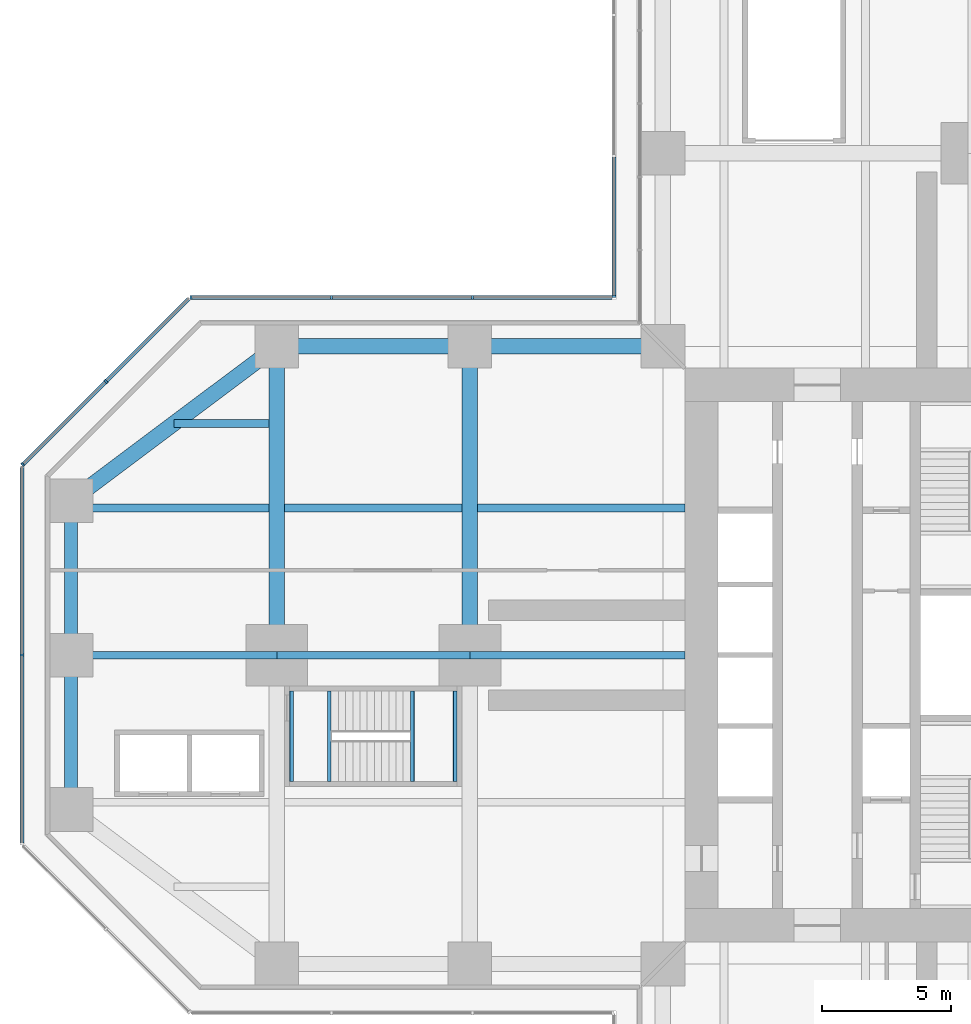
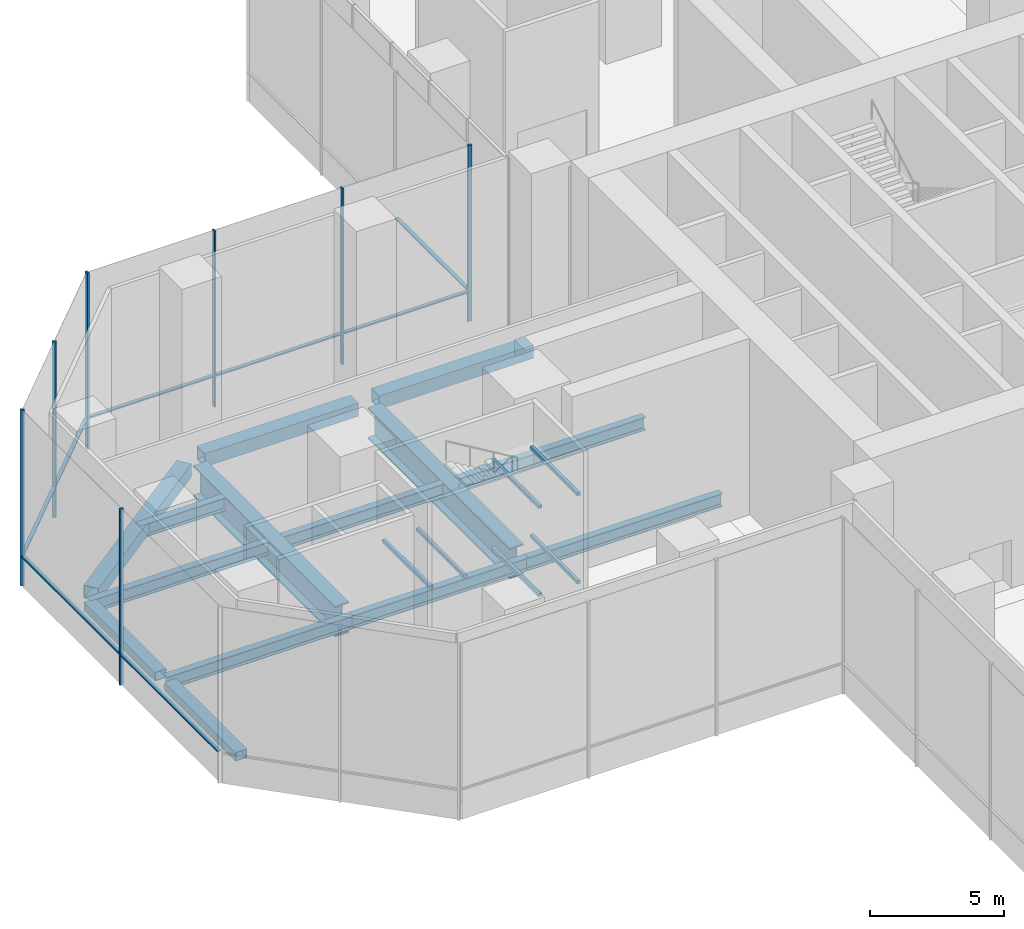
# One storey, part 7 of 25: 20 beams, 15 members, 4 elements without a shape of their own.
"""IFC4 building model written with IfcOpenShell, lengths in metres."""

from ifc_helpers import new_model, si_unit, direction, frame, origin, origin_2d, place, context, subcontext, project, spatial, rectangle, hollow_rectangle, i_section, extrude, material, material_profile, profile_set, type_object, element, aggregate, save


model = new_model("IFC4")

# Units and contexts
model_context = context("Model", 3, precision=1e-05, world=origin(), true_north=direction((0.0, 1.0)))
body_context = subcontext(model_context, "Body", "Model", "MODEL_VIEW")
ifc_project = project(units=[si_unit("LENGTHUNIT", "METRE"), si_unit("AREAUNIT", "SQUARE_METRE"), si_unit("VOLUMEUNIT", "CUBIC_METRE"), si_unit("PLANEANGLEUNIT", "RADIAN"), si_unit("MASSUNIT", "GRAM", prefix="KILO")], contexts=[model_context])

# Site, building, storey
site_placement = place(None, origin())
site = spatial("IfcSite", under=ifc_project, at=site_placement, CompositionType="ELEMENT")
building_placement = place(site_placement, origin())
building = spatial("IfcBuilding", under=site, at=building_placement, Name="Mizan Broadcast Tower", CompositionType="ELEMENT")
storey_placement = place(building_placement, frame((0.0, 0.0, 7.0)))
storey = spatial("IfcBuildingStorey", under=building, at=storey_placement, Name="L01", CompositionType="ELEMENT", Elevation=7.0)

# Beams
ifc_material_1 = material(Name="Steel S355", Category="steel")
ifc_material_profile_1 = material_profile(ifc_material_1, hollow_rectangle(XDim=0.5, YDim=0.39990234375, WallThickness=0.02490234375, at=origin_2d()), Name="BOX 400x500x25")
ifc_profile_set_1 = profile_set([ifc_material_profile_1], Name="Steel S355")
beam_type_1 = type_object("IfcBeamType", Name="EDGE BEAM BOX 400x500x25", PredefinedType="SPANDREL", material=ifc_profile_set_1)
for number, where, z_axis, x_axis, name in (
    (1, (-35.0, 5.639892578125, -0.449951171875), (0.0, -1.0, 0.0), (1.0, 0.0, 0.0), "Edge beam BOX 400x500x25 L01 west arm"),
    (2, (-35.0, -5.639892578125, -0.449951171875), (0.0, 1.0, 0.0), (-1.0, 0.0, 0.0), "Edge beam BOX 400x500x25 L01 west arm"),
):
    element("IfcBeam", number, at=place(storey_placement, frame(where, z_axis=z_axis, x_axis=x_axis)), inside=storey, type_object=beam_type_1, Name=name, PredefinedType="SPANDREL", context=body_context, shape_type="SweptSolid", body=[
        extrude(hollow_rectangle(XDim=0.5, YDim=0.39990234375, WallThickness=0.02490234375, at=origin_2d()), origin(), (0.0, 0.0, 1.0), 5.27978515625),
    ])
ifc_material_2 = material(Name="Steel S355", Category="steel")
ifc_material_profile_2 = material_profile(ifc_material_2, hollow_rectangle(XDim=0.60009765625, YDim=0.60009765625, WallThickness=0.030029296875, at=origin_2d()), Name="BOX 600x600x30")
ifc_profile_set_2 = profile_set([ifc_material_profile_2], Name="Steel S355")
beam_type_2 = type_object("IfcBeamType", Name="EDGE BEAM BOX 600x600x30", PredefinedType="SPANDREL", material=ifc_profile_set_2)
beam_1_placement = place(storey_placement, frame((-27.47998046875, 11.639892578125, -0.550048828125), z_axis=(-0.800013316712, -0.599982243973, 0.0), x_axis=(0.599982243973, -0.800013316712, 0.0)))
element("IfcBeam", 3, at=beam_1_placement, inside=storey, type_object=beam_type_2, Name="Edge beam BOX 600x600x30 L01 west arm", PredefinedType="SPANDREL", context=body_context, shape_type="SweptSolid", body=[
    extrude(hollow_rectangle(XDim=0.60009765625, YDim=0.60009765625, WallThickness=0.030029296875, at=origin_2d()), origin(), (0.0, 0.0, 1.0), 8.7998046875),
])
ifc_material_3 = material(Name="Steel S355", Category="steel")
ifc_material_profile_3 = material_profile(ifc_material_3, hollow_rectangle(XDim=0.60009765625, YDim=0.60009765625, WallThickness=0.0400390625, at=origin_2d()), Name="BOX 600x600x40")
ifc_profile_set_3 = profile_set([ifc_material_profile_3], Name="Steel S355")
beam_type_3 = type_object("IfcBeamType", Name="EDGE BEAM BOX 600x600x40", PredefinedType="SPANDREL", material=ifc_profile_set_3)
for number, where, z_axis, x_axis, name in (
    (4, (-12.449951171875, 12.0, -0.550048828125), (-1.0, 0.0, 0.0), (0.0, -1.0, 0.0), "Edge beam BOX 600x600x40 L01 west arm"),
    (5, (-19.949951171875, 12.0, -0.550048828125), (-1.0, 0.0, 0.0), (0.0, -1.0, 0.0), "Edge beam BOX 600x600x40 L01 west arm"),
):
    element("IfcBeam", number, at=place(storey_placement, frame(where, z_axis=z_axis, x_axis=x_axis)), inside=storey, type_object=beam_type_3, Name=name, PredefinedType="SPANDREL", context=body_context, shape_type="SweptSolid", body=[
        extrude(hollow_rectangle(XDim=0.60009765625, YDim=0.60009765625, WallThickness=0.0400390625, at=origin_2d()), origin(), (0.0, 0.0, 1.0), 6.60009765625),
    ])
ifc_material_4 = material(Name="Steel S460", Category="steel")
ifc_material_profile_4 = material_profile(ifc_material_4, i_section(OverallWidth=0.60009765625, OverallDepth=1.39990234375, WebThickness=0.02490234375, FlangeThickness=0.06005859375, at=origin_2d()), Name="WPG 1400x600")
ifc_profile_set_4 = profile_set([ifc_material_profile_4], Name="Steel S460")
beam_type_4 = type_object("IfcBeamType", Name="GIRDER WPG 1400x600", PredefinedType="BEAM", material=ifc_profile_set_4)
for number, where, z_axis, x_axis, name in (
    (6, (-19.5, 11.280029296875, -0.949951171875), (0.0, -1.0, 0.0), (1.0, 0.0, 0.0), "Girder WPG 1400x600 L01 west arm"),
    (7, (-27.0, 11.280029296875, -0.949951171875), (0.0, -1.0, 0.0), (1.0, 0.0, 0.0), "Girder WPG 1400x600 L01 west arm"),
):
    element("IfcBeam", number, at=place(storey_placement, frame(where, z_axis=z_axis, x_axis=x_axis)), inside=storey, type_object=beam_type_4, Name=name, PredefinedType="BEAM", context=body_context, shape_type="SweptSolid", body=[
        extrude(i_section(OverallWidth=0.60009765625, OverallDepth=1.39990234375, WebThickness=0.02490234375, FlangeThickness=0.06005859375, at=origin_2d()), origin(), (0.0, 0.0, 1.0), 10.56005859375),
    ])
ifc_material_5 = material(Name="Steel S355", Category="steel")
ifc_material_profile_5 = material_profile(ifc_material_5, hollow_rectangle(XDim=0.14990234375, YDim=0.14990234375, WallThickness=0.008056640625, InnerFilletRadius=0.008056640625, OuterFilletRadius=0.011962890625, at=origin_2d()), Name="SHS 150x150x8")
ifc_profile_set_5 = profile_set([ifc_material_profile_5], Name="Steel S355")
beam_type_5 = type_object("IfcBeamType", Name="LANDING TRIMMER SHS 150x150x8", PredefinedType="BEAM", material=ifc_profile_set_5)
for number, where, z_axis, x_axis, name in (
    (8, (-21.735107421875, -1.39990234375, 1.72509765625), (0.0, -1.0, 0.0), (1.0, 0.0, 0.0), "Stair D landing trimmer L01"),
    (9, (-20.074951171875, -1.39990234375, 1.72509765625), (0.0, -1.0, 0.0), (1.0, 0.0, 0.0), "Stair D landing trimmer L01"),
    (10, (-26.425048828125, -1.39990234375, 3.72509765625), (0.0, -1.0, 0.0), (1.0, 0.0, 0.0), "Stair D landing trimmer L01"),
    (11, (-24.965087890625, -1.39990234375, 3.72509765625), (0.0, -1.0, 0.0), (1.0, 0.0, 0.0), "Stair D landing trimmer L01"),
    (12, (-21.735107421875, -1.39990234375, 5.72509765625), (0.0, -1.0, 0.0), (1.0, 0.0, 0.0), "Stair D landing trimmer L01"),
    (13, (-20.074951171875, -1.39990234375, 5.72509765625), (0.0, -1.0, 0.0), (1.0, 0.0, 0.0), "Stair D landing trimmer L01"),
):
    element("IfcBeam", number, at=place(storey_placement, frame(where, z_axis=z_axis, x_axis=x_axis)), inside=storey, type_object=beam_type_5, Name=name, PredefinedType="BEAM", context=body_context, shape_type="SweptSolid", body=[
        extrude(hollow_rectangle(XDim=0.14990234375, YDim=0.14990234375, WallThickness=0.008056640625, InnerFilletRadius=0.008056640625, OuterFilletRadius=0.011962890625, at=origin_2d()), origin(), (0.0, 0.0, 1.0), 3.5),
    ])

# Curtain wall, member
ifc_material_6 = material(Name="Aluminium framed glazing", Category="aluminium")
curtain_wall_type = type_object("IfcCurtainWallType", Name="OUTER SKIN", PredefinedType="USERDEFINED", material=ifc_material_6)
curtain_wall_1_placement = place(storey_placement, origin())
curtain_wall_1 = element("IfcCurtainWall", 14, at=curtain_wall_1_placement, inside=storey, type_object=curtain_wall_type, Name="Outer skin L01 N side", ObjectType="OUTER SKIN", PredefinedType="USERDEFINED")
ifc_material_7 = material(Name="Aluminium, pale anodised", Category="aluminium")
ifc_material_profile_6 = material_profile(ifc_material_7, rectangle(XDim=0.159912109375, YDim=0.080078125, at=origin_2d()), Name="MULLION 160x80")
ifc_profile_set_6 = profile_set([ifc_material_profile_6], Name="Aluminium, pale anodised")
member_type_1 = type_object("IfcMemberType", Name="OUTER SKIN MULLION 80x160", PredefinedType="MULLION", material=ifc_profile_set_6)
member_1_placement = place(storey_placement, frame((-13.89990234375, 13.93994140625, 0.0), z_axis=(0.0, 0.0, 1.0), x_axis=(1.0, 0.0, 0.0)))
member_1 = element("IfcMember", 15, at=member_1_placement, type_object=member_type_1, Name="Outer skin L01 N side mullion 4", PredefinedType="MULLION", context=body_context, shape_type="SweptSolid", body=[
    extrude(rectangle(XDim=0.159912109375, YDim=0.080078125, at=origin_2d()), origin(), (0.0, 0.0, 1.0), 8.0),
])

# Curtain wall, members
curtain_wall_2_placement = place(storey_placement, origin())
curtain_wall_2 = element("IfcCurtainWall", 16, at=curtain_wall_2_placement, inside=storey, type_object=curtain_wall_type, Name="Outer skin L01 W side", ObjectType="OUTER SKIN", PredefinedType="USERDEFINED")
member_2_placement = place(storey_placement, frame((-19.390869140625, 13.89990234375, 0.0), z_axis=(0.0, 0.0, 1.0), x_axis=(0.0, -1.0, 0.0)))
member_2 = element("IfcMember", 17, at=member_2_placement, type_object=member_type_1, Name="Outer skin L01 W side mullion 2", PredefinedType="MULLION", context=body_context, shape_type="SweptSolid", body=[
    extrude(rectangle(XDim=0.159912109375, YDim=0.080078125, at=origin_2d()), origin(), (0.0, 0.0, 1.0), 8.0),
])
member_3_placement = place(storey_placement, frame((-24.8818359375, 13.89990234375, 0.0), z_axis=(0.0, 0.0, 1.0), x_axis=(0.0, -1.0, 0.0)))
member_3 = element("IfcMember", 18, at=member_3_placement, type_object=member_type_1, Name="Outer skin L01 W side mullion 3", PredefinedType="MULLION", context=body_context, shape_type="SweptSolid", body=[
    extrude(rectangle(XDim=0.159912109375, YDim=0.080078125, at=origin_2d()), origin(), (0.0, 0.0, 1.0), 8.0),
])
member_4_placement = place(storey_placement, frame((-30.332763671875, 13.89990234375, 0.0), z_axis=(0.0, 0.0, 1.0), x_axis=(0.0, -1.0, 0.0)))
member_4 = element("IfcMember", 19, at=member_4_placement, type_object=member_type_1, Name="Outer skin L01 W side mullion 4", PredefinedType="MULLION", context=body_context, shape_type="SweptSolid", body=[
    extrude(rectangle(XDim=0.159912109375, YDim=0.080078125, at=origin_2d()), origin(), (0.0, 0.0, 1.0), 8.0),
])

curtain_wall_3_placement = place(storey_placement, origin())
curtain_wall_3 = element("IfcCurtainWall", 20, at=curtain_wall_3_placement, inside=storey, type_object=curtain_wall_type, Name="Outer skin L01 W chamfer", ObjectType="OUTER SKIN", PredefinedType="USERDEFINED")
member_5_placement = place(storey_placement, frame((-33.636474609375, 10.636474609375, 0.0), z_axis=(0.0, 0.0, 1.0), x_axis=(0.707106781187, -0.707106781187, 0.0)))
member_5 = element("IfcMember", 21, at=member_5_placement, type_object=member_type_1, Name="Outer skin L01 W chamfer mullion 2", PredefinedType="MULLION", context=body_context, shape_type="SweptSolid", body=[
    extrude(rectangle(XDim=0.159912109375, YDim=0.080078125, at=origin_2d()), origin(), (0.0, 0.0, 1.0), 8.0),
])
member_6_placement = place(storey_placement, frame((-36.871826171875, 7.401123046875, 0.0), z_axis=(0.0, 0.0, 1.0), x_axis=(0.707106781187, -0.707106781187, 0.0)))
member_6 = element("IfcMember", 22, at=member_6_placement, type_object=member_type_1, Name="Outer skin L01 W chamfer mullion 3", PredefinedType="MULLION", context=body_context, shape_type="SweptSolid", body=[
    extrude(rectangle(XDim=0.159912109375, YDim=0.080078125, at=origin_2d()), origin(), (0.0, 0.0, 1.0), 8.0),
])

# Curtain wall, member
curtain_wall_4_placement = place(storey_placement, origin())
curtain_wall_4 = element("IfcCurtainWall", 23, at=curtain_wall_4_placement, inside=storey, type_object=curtain_wall_type, Name="Outer skin L01 W end", ObjectType="OUTER SKIN", PredefinedType="USERDEFINED")
member_7_placement = place(storey_placement, frame((-36.89990234375, 0.0, 0.0), z_axis=(0.0, 0.0, 1.0), x_axis=(1.0, 0.0, 0.0)))
member_7 = element("IfcMember", 24, at=member_7_placement, type_object=member_type_1, Name="Outer skin L01 W end mullion 2", PredefinedType="MULLION", context=body_context, shape_type="SweptSolid", body=[
    extrude(rectangle(XDim=0.159912109375, YDim=0.080078125, at=origin_2d()), origin(), (0.0, 0.0, 1.0), 8.0),
])

# Member
ifc_material_8 = material(Name="Aluminium, pale anodised", Category="aluminium")
ifc_material_profile_7 = material_profile(ifc_material_8, rectangle(XDim=0.159912109375, YDim=0.06005859375, at=origin_2d()), Name="TRANSOM 160x60")
ifc_profile_set_7 = profile_set([ifc_material_profile_7], Name="Aluminium, pale anodised")
member_type_2 = type_object("IfcMemberType", Name="OUTER SKIN TRANSOM 60x160", PredefinedType="USERDEFINED", material=ifc_profile_set_7)
member_8_placement = place(storey_placement, frame((-13.89990234375, 19.350830078125, 1.39990234375), z_axis=(0.0, -1.0, 0.0), x_axis=(1.0, 0.0, 0.0)))
member_8 = element("IfcMember", 25, at=member_8_placement, type_object=member_type_2, Name="Outer skin L01 N side transom 3.1", ObjectType="TRANSOM", PredefinedType="USERDEFINED", context=body_context, shape_type="SweptSolid", body=[
    extrude(rectangle(XDim=0.159912109375, YDim=0.06005859375, at=origin_2d()), origin(), (0.0, 0.0, 1.0), 5.370849609375),
])

aggregate(curtain_wall_1, [member_1, member_8])

member_9_placement = place(storey_placement, frame((-13.97998046875, 13.89990234375, 1.39990234375), z_axis=(-1.0, 0.0, 0.0), x_axis=(0.0, -1.0, 0.0)))
member_9 = element("IfcMember", 26, at=member_9_placement, type_object=member_type_2, Name="Outer skin L01 W side transom 1.1", ObjectType="TRANSOM", PredefinedType="USERDEFINED", context=body_context, shape_type="SweptSolid", body=[
    extrude(rectangle(XDim=0.159912109375, YDim=0.06005859375, at=origin_2d()), origin(), (0.0, 0.0, 1.0), 5.370849609375),
])

member_10_placement = place(storey_placement, frame((-19.430908203125, 13.89990234375, 1.39990234375), z_axis=(-1.0, 0.0, 0.0), x_axis=(0.0, -1.0, 0.0)))
member_10 = element("IfcMember", 27, at=member_10_placement, type_object=member_type_2, Name="Outer skin L01 W side transom 2.1", ObjectType="TRANSOM", PredefinedType="USERDEFINED", context=body_context, shape_type="SweptSolid", body=[
    extrude(rectangle(XDim=0.159912109375, YDim=0.06005859375, at=origin_2d()), origin(), (0.0, 0.0, 1.0), 5.410888671875),
])

member_11_placement = place(storey_placement, frame((-24.921875, 13.89990234375, 1.39990234375), z_axis=(-1.0, 0.0, 0.0), x_axis=(0.0, -1.0, 0.0)))
member_11 = element("IfcMember", 28, at=member_11_placement, type_object=member_type_2, Name="Outer skin L01 W side transom 3.1", ObjectType="TRANSOM", PredefinedType="USERDEFINED", context=body_context, shape_type="SweptSolid", body=[
    extrude(rectangle(XDim=0.159912109375, YDim=0.06005859375, at=origin_2d()), origin(), (0.0, 0.0, 1.0), 5.370849609375),
])

aggregate(curtain_wall_2, [member_2, member_3, member_4, member_9, member_10, member_11])

member_12_placement = place(storey_placement, frame((-30.429443359375, 13.843505859375, 1.39990234375), z_axis=(-0.707106781187, -0.707106781187, 0.0), x_axis=(0.707106781187, -0.707106781187, 0.0)))
member_12 = element("IfcMember", 29, at=member_12_placement, type_object=member_type_2, Name="Outer skin L01 W chamfer transom 1.1", ObjectType="TRANSOM", PredefinedType="USERDEFINED", context=body_context, shape_type="SweptSolid", body=[
    extrude(rectangle(XDim=0.159912109375, YDim=0.06005859375, at=origin_2d()), origin(), (0.0, 0.0, 1.0), 4.495361328125),
])

member_13_placement = place(storey_placement, frame((-33.664794921875, 10.608154296875, 1.39990234375), z_axis=(-0.707106781187, -0.707106781187, 0.0), x_axis=(0.707106781187, -0.707106781187, 0.0)))
member_13 = element("IfcMember", 30, at=member_13_placement, type_object=member_type_2, Name="Outer skin L01 W chamfer transom 2.1", ObjectType="TRANSOM", PredefinedType="USERDEFINED", context=body_context, shape_type="SweptSolid", body=[
    extrude(rectangle(XDim=0.159912109375, YDim=0.06005859375, at=origin_2d()), origin(), (0.0, 0.0, 1.0), 4.495361328125),
])

aggregate(curtain_wall_3, [member_5, member_6, member_12, member_13])

member_14_placement = place(storey_placement, frame((-36.89990234375, 7.292724609375, 1.39990234375), z_axis=(0.0, -1.0, 0.0), x_axis=(1.0, 0.0, 0.0)))
member_14 = element("IfcMember", 31, at=member_14_placement, type_object=member_type_2, Name="Outer skin L01 W end transom 1.1", ObjectType="TRANSOM", PredefinedType="USERDEFINED", context=body_context, shape_type="SweptSolid", body=[
    extrude(rectangle(XDim=0.159912109375, YDim=0.06005859375, at=origin_2d()), origin(), (0.0, 0.0, 1.0), 7.252685546875),
])

member_15_placement = place(storey_placement, frame((-36.89990234375, -0.0400390625, 1.39990234375), z_axis=(0.0, -1.0, 0.0), x_axis=(1.0, 0.0, 0.0)))
member_15 = element("IfcMember", 32, at=member_15_placement, type_object=member_type_2, Name="Outer skin L01 W end transom 2.1", ObjectType="TRANSOM", PredefinedType="USERDEFINED", context=body_context, shape_type="SweptSolid", body=[
    extrude(rectangle(XDim=0.159912109375, YDim=0.06005859375, at=origin_2d()), origin(), (0.0, 0.0, 1.0), 7.252685546875),
])

aggregate(curtain_wall_4, [member_7, member_14, member_15])

# Beams
ifc_material_9 = material(Name="Steel S355", Category="steel")
ifc_material_profile_8 = material_profile(ifc_material_9, i_section(OverallWidth=0.300048828125, OverallDepth=0.590087890625, WebThickness=0.012939453125, FlangeThickness=0.02490234375, FilletRadius=0.027099609375, at=origin_2d()), Name="HEA 600")
ifc_profile_set_8 = profile_set([ifc_material_profile_8], Name="Steel S355")
beam_type_6 = type_object("IfcBeamType", Name="SECONDARY BEAM HEA 600", PredefinedType="JOIST", material=ifc_profile_set_8)
beam_2_placement = place(storey_placement, frame((-11.14990234375, 5.71435546875, -0.544921875), z_axis=(-1.0, 0.0, 0.0), x_axis=(0.0, -1.0, 0.0)))
element("IfcBeam", 33, at=beam_2_placement, inside=storey, type_object=beam_type_6, Name="Secondary beam HEA 600 L01 west arm", PredefinedType="JOIST", context=body_context, shape_type="SweptSolid", body=[
    extrude(i_section(OverallWidth=0.300048828125, OverallDepth=0.590087890625, WebThickness=0.012939453125, FlangeThickness=0.02490234375, FilletRadius=0.027099609375, at=origin_2d()), origin(), (0.0, 0.0, 1.0), 8.050048828125),
])
beam_3_placement = place(storey_placement, frame((-19.800048828125, 5.71435546875, -0.544921875), z_axis=(-1.0, 0.0, 0.0), x_axis=(0.0, -1.0, 0.0)))
element("IfcBeam", 34, at=beam_3_placement, inside=storey, type_object=beam_type_6, Name="Secondary beam HEA 600 L01 west arm", PredefinedType="JOIST", context=body_context, shape_type="SweptSolid", body=[
    extrude(i_section(OverallWidth=0.300048828125, OverallDepth=0.590087890625, WebThickness=0.012939453125, FlangeThickness=0.02490234375, FilletRadius=0.027099609375, at=origin_2d()), origin(), (0.0, 0.0, 1.0), 6.89990234375),
])
beam_4_placement = place(storey_placement, frame((-27.300048828125, 5.71435546875, -0.544921875), z_axis=(-1.0, 0.0, 0.0), x_axis=(0.0, -1.0, 0.0)))
element("IfcBeam", 35, at=beam_4_placement, inside=storey, type_object=beam_type_6, Name="Secondary beam HEA 600 L01 west arm", PredefinedType="JOIST", context=body_context, shape_type="SweptSolid", body=[
    extrude(i_section(OverallWidth=0.300048828125, OverallDepth=0.590087890625, WebThickness=0.012939453125, FlangeThickness=0.02490234375, FilletRadius=0.027099609375, at=origin_2d()), origin(), (0.0, 0.0, 1.0), 7.699951171875),
])
beam_5_placement = place(storey_placement, frame((-27.300048828125, 9.0, -0.544921875), z_axis=(-1.0, 0.0, 0.0), x_axis=(0.0, -1.0, 0.0)))
element("IfcBeam", 36, at=beam_5_placement, inside=storey, type_object=beam_type_6, Name="Secondary beam HEA 600 L01 west arm", PredefinedType="JOIST", context=body_context, shape_type="SweptSolid", body=[
    extrude(i_section(OverallWidth=0.300048828125, OverallDepth=0.590087890625, WebThickness=0.012939453125, FlangeThickness=0.02490234375, FilletRadius=0.027099609375, at=origin_2d()), origin(), (0.0, 0.0, 1.0), 3.699951171875),
])
beam_6_placement = place(storey_placement, frame((-11.14990234375, 0.0, -0.544921875), z_axis=(-1.0, 0.0, 0.0), x_axis=(0.0, -1.0, 0.0)))
element("IfcBeam", 37, at=beam_6_placement, inside=storey, type_object=beam_type_6, Name="Secondary beam HEA 600 L01 west arm", PredefinedType="JOIST", context=body_context, shape_type="SweptSolid", body=[
    extrude(i_section(OverallWidth=0.300048828125, OverallDepth=0.590087890625, WebThickness=0.012939453125, FlangeThickness=0.02490234375, FilletRadius=0.027099609375, at=origin_2d()), origin(), (0.0, 0.0, 1.0), 8.35009765625),
])
beam_7_placement = place(storey_placement, frame((-19.5, 0.0, -0.544921875), z_axis=(-1.0, 0.0, 0.0), x_axis=(0.0, -1.0, 0.0)))
element("IfcBeam", 38, at=beam_7_placement, inside=storey, type_object=beam_type_6, Name="Secondary beam HEA 600 L01 west arm", PredefinedType="JOIST", context=body_context, shape_type="SweptSolid", body=[
    extrude(i_section(OverallWidth=0.300048828125, OverallDepth=0.590087890625, WebThickness=0.012939453125, FlangeThickness=0.02490234375, FilletRadius=0.027099609375, at=origin_2d()), origin(), (0.0, 0.0, 1.0), 7.5),
])
beam_8_placement = place(storey_placement, frame((-27.0, 0.0, -0.544921875), z_axis=(-1.0, 0.0, 0.0), x_axis=(0.0, -1.0, 0.0)))
element("IfcBeam", 39, at=beam_8_placement, inside=storey, type_object=beam_type_6, Name="Secondary beam HEA 600 L01 west arm", PredefinedType="JOIST", context=body_context, shape_type="SweptSolid", body=[
    extrude(i_section(OverallWidth=0.300048828125, OverallDepth=0.590087890625, WebThickness=0.012939453125, FlangeThickness=0.02490234375, FilletRadius=0.027099609375, at=origin_2d()), origin(), (0.0, 0.0, 1.0), 8.0),
])

save(model, "model.ifc")
